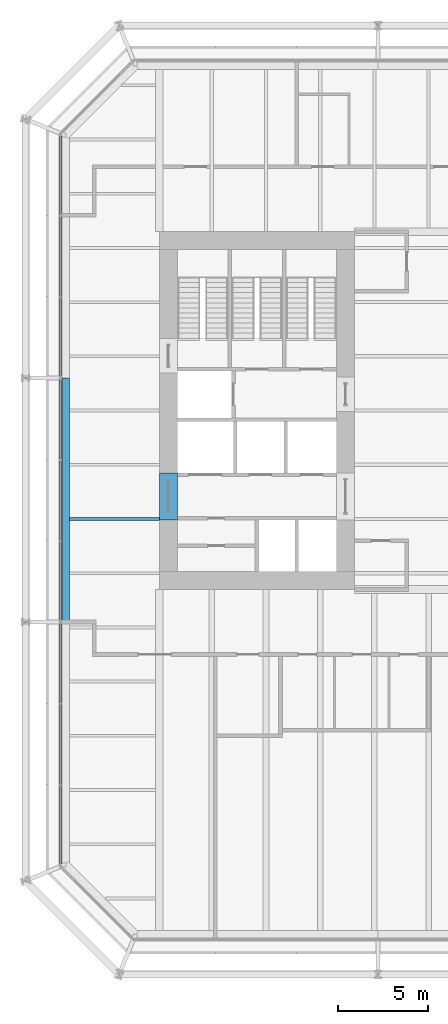
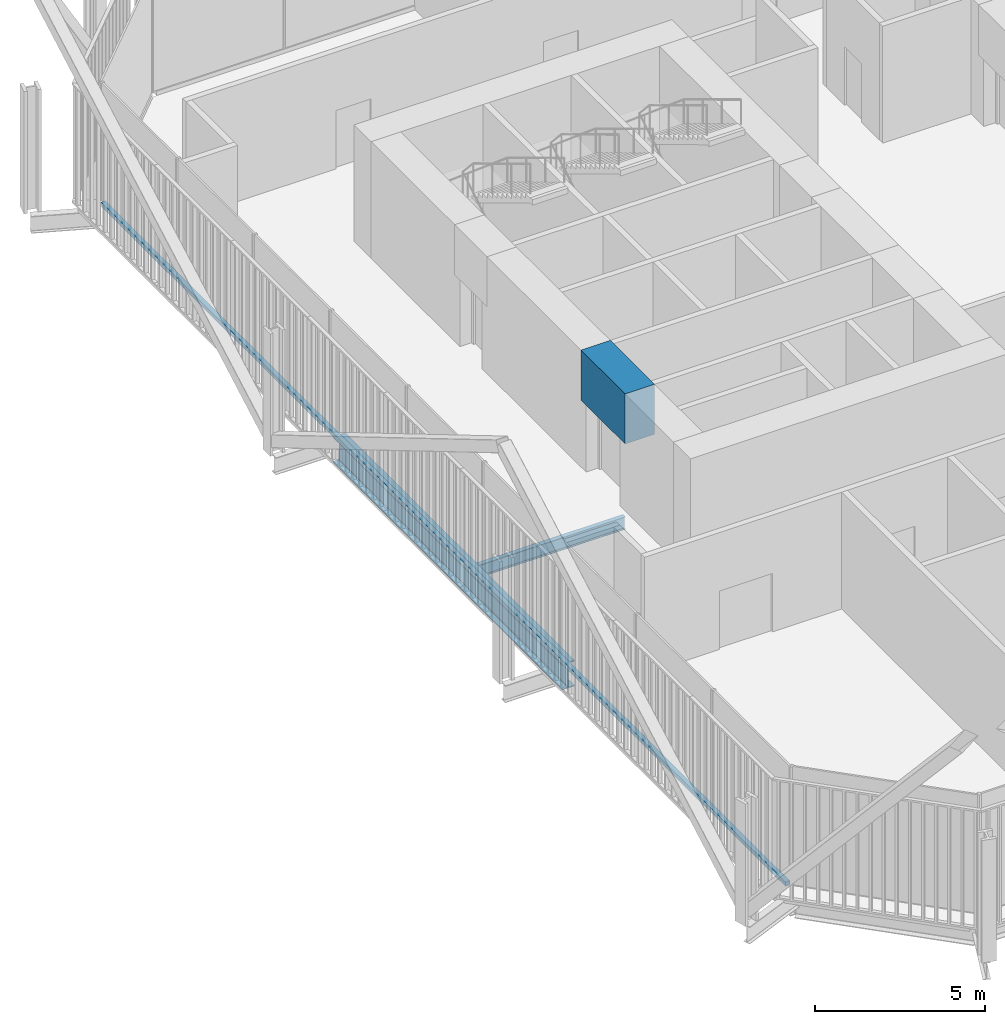
# One storey, part 6 of 21: 3 beams, 1 member, 1 element without a shape of its own.
"""IFC4 building model written with IfcOpenShell, lengths in metres."""

from ifc_helpers import new_model, si_unit, direction, frame, origin, origin_2d, place, context, subcontext, project, spatial, rectangle, i_section, extrude, material, layer, layer_set, material_profile, profile_set, type_object, element, aggregate, save


model = new_model("IFC4")

# Units and contexts
model_context = context("Model", 3, precision=1e-05, world=origin(), true_north=direction((0.0, 1.0)))
body_context = subcontext(model_context, "Body", "Model", "MODEL_VIEW")
ifc_project = project(units=[si_unit("LENGTHUNIT", "METRE"), si_unit("AREAUNIT", "SQUARE_METRE"), si_unit("VOLUMEUNIT", "CUBIC_METRE"), si_unit("PLANEANGLEUNIT", "RADIAN"), si_unit("MASSUNIT", "GRAM", prefix="KILO")], contexts=[model_context])

# Site, building, storey
site_placement = place(None, origin())
site = spatial("IfcSite", under=ifc_project, at=site_placement, CompositionType="ELEMENT")
building_placement = place(site_placement, origin())
building = spatial("IfcBuilding", under=site, at=building_placement, Name="Millrace Tower", CompositionType="ELEMENT")
storey_placement = place(building_placement, frame((0.0, 0.0, 95.199951171875)))
storey = spatial("IfcBuildingStorey", under=building, at=storey_placement, Name="L21", CompositionType="ELEMENT", Elevation=95.199951171875)

# Curtain wall, member
ifc_material_1 = material(Name="Aluminium and glass", Category="aluminium")
ifc_layer = layer(ifc_material_1, 0.14990234375)
ifc_layer_set = layer_set([ifc_layer], Name="Aluminium and glass")
curtain_wall_type = type_object("IfcCurtainWallType", Name="CW-3 telecom floor curtain wall", PredefinedType="NOTDEFINED", material=ifc_layer_set)
curtain_wall_placement = place(storey_placement, origin())
curtain_wall = element("IfcCurtainWall", 1, at=curtain_wall_placement, inside=storey, type_object=curtain_wall_type, Name="Curtain wall B-F08 L21", PredefinedType="NOTDEFINED")
ifc_material_2 = material(Name="Aluminium", Category="aluminium")
ifc_material_profile_1 = material_profile(ifc_material_2, rectangle(XDim=0.14990234375, YDim=0.14990234375, at=origin_2d()))
ifc_profile_set_1 = profile_set([ifc_material_profile_1], Name="Aluminium")
member_type = type_object("IfcMemberType", Name="CW-3 telecom floor curtain wall transom", PredefinedType="USERDEFINED", material=ifc_profile_set_1)
member_placement = place(storey_placement, frame((-20.375, 15.199951171875, 0.074951171875), z_axis=(0.0, -1.0, 0.0), x_axis=(1.0, 0.0, 0.0)))
member = element("IfcMember", 2, at=member_placement, type_object=member_type, Name="CW3 transom B-F08.1", ObjectType="TRANSOM", PredefinedType="USERDEFINED", context=body_context, shape_type="SweptSolid", body=[
    extrude(rectangle(XDim=0.14990234375, YDim=0.14990234375, at=origin_2d()), origin(), (0.0, 0.0, 1.0), 40.300048828125),
])
aggregate(curtain_wall, [member])

# Beams
ifc_material_3 = material(Name="Concrete C80", Category="concrete")
ifc_material_profile_2 = material_profile(ifc_material_3, rectangle(XDim=1.0, YDim=1.800048828125, at=origin_2d()))
ifc_profile_set_2 = profile_set([ifc_material_profile_2], Name="Concrete C80")
beam_type_1 = type_object("IfcBeamType", Name="Coupling beam 1000 x 1800 Concrete C80, 2000 opening", PredefinedType="BEAM", material=ifc_profile_set_2)
beam_1_placement = place(storey_placement, frame((-14.39990234375, -6.050048828125, 3.300048828125), z_axis=(0.0, 1.0, 0.0), x_axis=(-1.0, 0.0, 0.0)))
element("IfcBeam", 3, at=beam_1_placement, inside=storey, type_object=beam_type_1, Name="Coupling beam W L21", PredefinedType="BEAM", context=body_context, shape_type="SweptSolid", body=[
    extrude(rectangle(XDim=1.0, YDim=1.800048828125, at=origin_2d()), origin(), (0.0, 0.0, 1.0), 2.60009765625),
])
ifc_material_4 = material(Name="Steel ASTM A992 Grade 50", Category="steel")
ifc_material_profile_3 = material_profile(ifc_material_4, i_section(OverallWidth=0.15234375, OverallDepth=0.449462890625, WebThickness=0.007568359375, FlangeThickness=0.0107421875, FilletRadius=0.01025390625, at=origin_2d()))
ifc_profile_set_3 = profile_set([ifc_material_profile_3], Name="Steel ASTM A992 Grade 50")
beam_type_2 = type_object("IfcBeamType", Name="Floor beam W18x35", PredefinedType="JOIST", material=ifc_profile_set_3)
beam_2_placement = place(storey_placement, frame((-19.880859375, -6.0, -0.4248046875), z_axis=(1.0, 0.0, 0.0), x_axis=(0.0, 1.0, 0.0)))
element("IfcBeam", 4, at=beam_2_placement, inside=storey, type_object=beam_type_2, Name="BM-B-L21-S1-S017", PredefinedType="JOIST", context=body_context, shape_type="SweptSolid", body=[
    extrude(i_section(OverallWidth=0.15234375, OverallDepth=0.449462890625, WebThickness=0.007568359375, FlangeThickness=0.0107421875, FilletRadius=0.01025390625, at=origin_2d()), origin(), (0.0, 0.0, 1.0), 4.98095703125),
])
ifc_material_5 = material(Name="Steel ASTM A992 Grade 50", Category="steel")
ifc_material_profile_4 = material_profile(ifc_material_5, i_section(OverallWidth=0.419189453125, OverallDepth=0.927001953125, WebThickness=0.019287109375, FlangeThickness=0.031982421875, FilletRadius=0.024169921875, at=origin_2d()))
ifc_profile_set_4 = profile_set([ifc_material_profile_4], Name="Steel ASTM A992 Grade 50")
beam_type_3 = type_object("IfcBeamType", Name="Ring beam medium span W36x231", PredefinedType="SPANDREL", material=ifc_profile_set_4)
beam_3_placement = place(storey_placement, frame((-20.09033203125, -11.699951171875, -0.66357421875), z_axis=(0.0, 1.0, 0.0), x_axis=(-1.0, 0.0, 0.0)))
element("IfcBeam", 5, at=beam_3_placement, inside=storey, type_object=beam_type_3, Name="RNG-B-L21-S1-02", PredefinedType="SPANDREL", context=body_context, shape_type="SweptSolid", body=[
    extrude(i_section(OverallWidth=0.419189453125, OverallDepth=0.927001953125, WebThickness=0.019287109375, FlangeThickness=0.031982421875, FilletRadius=0.024169921875, at=origin_2d()), origin(), (0.0, 0.0, 1.0), 13.5),
])

save(model, "model.ifc")
